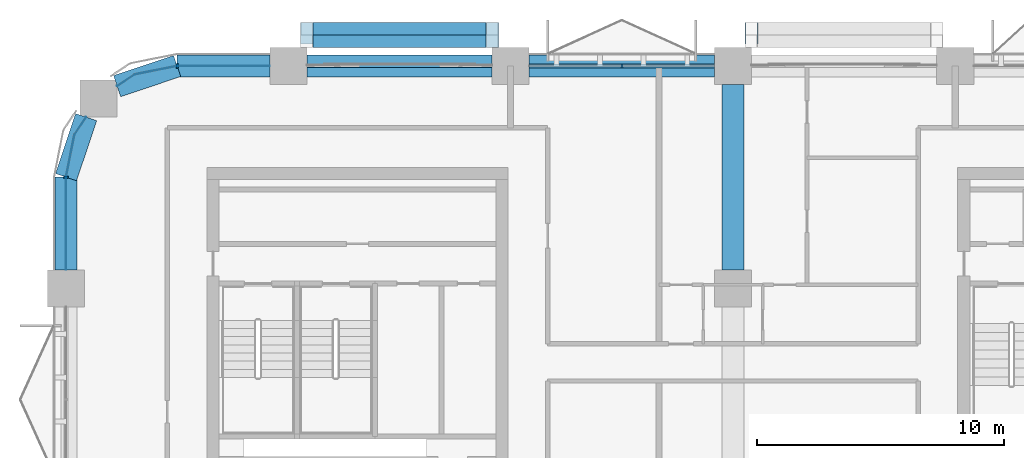
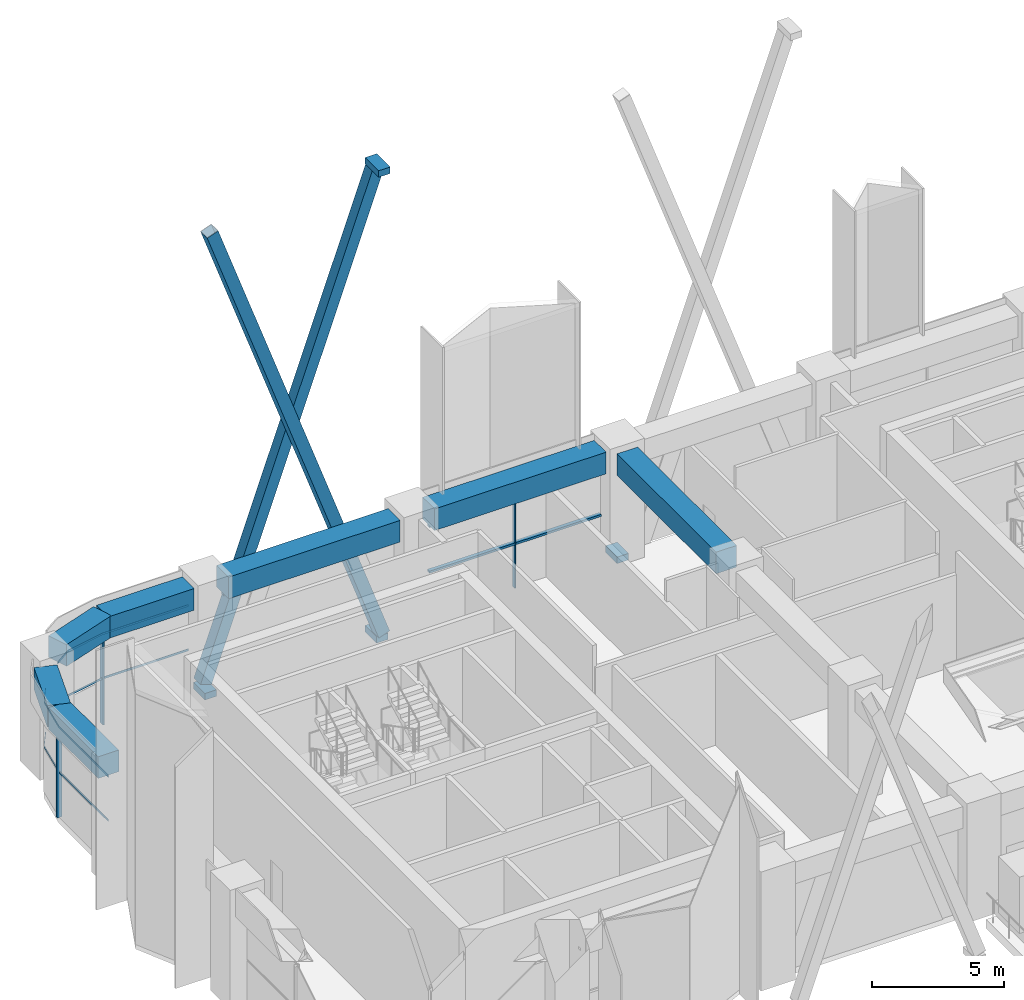
# One storey, part 7 of 22: 16 members, 7 beams, 4 elements without a shape of their own.
"""IFC4 building model written with IfcOpenShell, lengths in metres."""

from ifc_helpers import new_model, si_unit, direction, frame, origin, origin_2d, place, context, subcontext, project, spatial, polyline, rectangle, hollow_rectangle, outline, extrude, material, layer, layer_set, material_profile, profile_set, type_object, element, aggregate, save


model = new_model("IFC4")

# Units and contexts
model_context = context("Model", 3, precision=1e-05, world=origin(), true_north=direction((0.0, 1.0)))
body_context = subcontext(model_context, "Body", "Model", "MODEL_VIEW")
ifc_project = project(units=[si_unit("LENGTHUNIT", "METRE"), si_unit("AREAUNIT", "SQUARE_METRE"), si_unit("VOLUMEUNIT", "CUBIC_METRE"), si_unit("PLANEANGLEUNIT", "RADIAN"), si_unit("MASSUNIT", "GRAM", prefix="KILO")], contexts=[model_context])

# Site, building, storey
site_placement = place(None, origin())
site = spatial("IfcSite", under=ifc_project, at=site_placement, CompositionType="ELEMENT")
building_placement = place(site_placement, origin())
building = spatial("IfcBuilding", under=site, at=building_placement, Name="Tessera Arch", CompositionType="ELEMENT")
storey_placement = place(building_placement, frame((0.0, 0.0, 129.39990234375)))
storey = spatial("IfcBuildingStorey", under=building, at=storey_placement, Name="L30", CompositionType="ELEMENT", Elevation=129.39990234375)

# Members
ifc_material_1 = material(Name="Steel A500 Gr C", Category="steel")
ifc_material_profile_1 = material_profile(ifc_material_1, hollow_rectangle(XDim=0.508056640625, YDim=0.508056640625, WallThickness=0.0146484375, at=origin_2d()), Name="HSS20x20x5/8")
ifc_profile_set_1 = profile_set([ifc_material_profile_1], Name="Steel A500 Gr C")
member_type_1 = type_object("IfcMemberType", Name="Brace HSS20x20x5/8 Steel A500 Gr C", PredefinedType="BRACE", material=ifc_profile_set_1)
for number, where, z_axis, x_axis, name in (
    (1, (17.25, 55.00390625, -0.7998046875), (-0.334923631924, 0.0, 0.942245276337), (0.0, -1.0, 0.0), "Brace N54.0-4 A L30-L34"),
    (2, (9.75, 55.511962890625, -0.7998046875), (0.334923631924, 0.0, 0.942245276337), (0.0, 1.0, 0.0), "Brace N54.0-4 B L30-L34"),
):
    element("IfcMember", number, at=place(storey_placement, frame(where, z_axis=z_axis, x_axis=x_axis)), inside=storey, type_object=member_type_1, Name=name, PredefinedType="BRACE", context=body_context, shape_type="SweptSolid", body=[
        extrude(hollow_rectangle(XDim=0.508056640625, YDim=0.508056640625, WallThickness=0.0146484375, at=origin_2d()), origin(), (0.0, 0.0, 1.0), 22.39306640625),
    ])

# Curtain wall, members
ifc_material_2 = material(Name="CW1 curtain wall")
curtain_wall_type_1 = type_object("IfcCurtainWallType", Name="CW1 curtain wall", PredefinedType="NOTDEFINED", material=ifc_material_2)
curtain_wall_1_placement = place(storey_placement, origin())
curtain_wall_1 = element("IfcCurtainWall", 3, at=curtain_wall_1_placement, inside=storey, type_object=curtain_wall_type_1, Name="CW1 curtain wall N54.0/3 L30", PredefinedType="NOTDEFINED")
ifc_material_3 = material(Name="Anodised aluminium pale metal", Category="aluminium")
ifc_material_profile_2 = material_profile(ifc_material_3, rectangle(XDim=0.159912109375, YDim=0.06005859375, at=origin_2d()), Name="AL 60x160")
ifc_profile_set_2 = profile_set([ifc_material_profile_2], Name="Anodised aluminium pale metal")
member_type_2 = type_object("IfcMemberType", Name="CW1 mullion", PredefinedType="MULLION", material=ifc_profile_set_2)
member_1_placement = place(storey_placement, frame((22.5, 54.0, 0.0), z_axis=(0.0, 0.0, 1.0), x_axis=(0.0, -1.0, 0.0)))
member_1 = element("IfcMember", 4, at=member_1_placement, type_object=member_type_2, Name="CW1 mullion N54.0/3 1", PredefinedType="MULLION", context=body_context, shape_type="SweptSolid", body=[
    extrude(rectangle(XDim=0.159912109375, YDim=0.06005859375, at=origin_2d()), origin(), (0.0, 0.0, 1.0), 4.10009765625),
])
ifc_material_4 = material(Name="Anodised aluminium pale metal", Category="aluminium")
ifc_material_profile_3 = material_profile(ifc_material_4, rectangle(XDim=0.159912109375, YDim=0.10009765625, at=origin_2d()), Name="AL 160x100")
ifc_profile_set_3 = profile_set([ifc_material_profile_3], Name="Anodised aluminium pale metal")
member_type_3 = type_object("IfcMemberType", Name="CW1 transom", PredefinedType="USERDEFINED", material=ifc_profile_set_3)
member_2_placement = place(storey_placement, frame((26.25, 54.0, 4.150146484375), z_axis=(-1.0, 0.0, 0.0), x_axis=(0.0, -1.0, 0.0)))
member_2 = element("IfcMember", 5, at=member_2_placement, type_object=member_type_3, Name="CW1 transom N54.0/3 1.1", ObjectType="TRANSOM", PredefinedType="USERDEFINED", context=body_context, shape_type="SweptSolid", body=[
    extrude(rectangle(XDim=0.159912109375, YDim=0.10009765625, at=origin_2d()), origin(), (0.0, 0.0, 1.0), 7.5),
])
member_3_placement = place(storey_placement, frame((26.25, 54.0, 2.050048828125), z_axis=(-1.0, 0.0, 0.0), x_axis=(0.0, -1.0, 0.0)))
member_3 = element("IfcMember", 6, at=member_3_placement, type_object=member_type_3, Name="CW1 transom N54.0/3 2.1", ObjectType="TRANSOM", PredefinedType="USERDEFINED", context=body_context, shape_type="SweptSolid", body=[
    extrude(rectangle(XDim=0.159912109375, YDim=0.10009765625, at=origin_2d()), origin(), (0.0, 0.0, 1.0), 7.5),
])
aggregate(curtain_wall_1, [member_1, member_2, member_3])

# Curtain wall, member
ifc_material_5 = material(Name="CW2 curtain wall")
curtain_wall_type_2 = type_object("IfcCurtainWallType", Name="CW2 curtain wall", PredefinedType="NOTDEFINED", material=ifc_material_5)
curtain_wall_2_placement = place(storey_placement, origin())
curtain_wall_2 = element("IfcCurtainWall", 7, at=curtain_wall_2_placement, inside=storey, type_object=curtain_wall_type_2, Name="CW2 curtain wall N54.0/5 L30", PredefinedType="NOTDEFINED")
ifc_material_6 = material(Name="Anodised aluminium pale metal", Category="aluminium")
ifc_material_profile_4 = material_profile(ifc_material_6, rectangle(XDim=0.199951171875, YDim=0.080078125, at=origin_2d()), Name="AL 80x200")
ifc_profile_set_4 = profile_set([ifc_material_profile_4], Name="Anodised aluminium pale metal")
member_type_4 = type_object("IfcMemberType", Name="CW2 mullion", PredefinedType="MULLION", material=ifc_profile_set_4)
member_4_placement = place(storey_placement, frame((4.5, 54.0, 0.0), z_axis=(0.0, 0.0, 1.0), x_axis=(0.0, -1.0, 0.0)))
member_4 = element("IfcMember", 8, at=member_4_placement, type_object=member_type_4, Name="CW2 mullion N54.0/5 1", PredefinedType="MULLION", context=body_context, shape_type="SweptSolid", body=[
    extrude(rectangle(XDim=0.199951171875, YDim=0.080078125, at=origin_2d()), origin(), (0.0, 0.0, 1.0), 4.10009765625),
])

curtain_wall_3_placement = place(storey_placement, origin())
curtain_wall_3 = element("IfcCurtainWall", 9, at=curtain_wall_3_placement, inside=storey, type_object=curtain_wall_type_2, Name="CW2 curtain wall W0.27/0 L30", PredefinedType="NOTDEFINED")
member_5_placement = place(storey_placement, frame((0.0, 49.5, 0.0), z_axis=(0.0, 0.0, 1.0), x_axis=(1.0, 0.0, 0.0)))
member_5 = element("IfcMember", 10, at=member_5_placement, type_object=member_type_4, Name="CW2 mullion W0.27/0 1", PredefinedType="MULLION", context=body_context, shape_type="SweptSolid", body=[
    extrude(rectangle(XDim=0.199951171875, YDim=0.080078125, at=origin_2d()), origin(), (0.0, 0.0, 1.0), 4.10009765625),
])

# Member
ifc_material_7 = material(Name="Anodised aluminium pale metal", Category="aluminium")
ifc_material_profile_5 = material_profile(ifc_material_7, rectangle(XDim=0.199951171875, YDim=0.10009765625, at=origin_2d()), Name="AL 200x100")
ifc_profile_set_5 = profile_set([ifc_material_profile_5], Name="Anodised aluminium pale metal")
member_type_5 = type_object("IfcMemberType", Name="CW2 transom", PredefinedType="USERDEFINED", material=ifc_profile_set_5)
member_6_placement = place(storey_placement, frame((0.0, 0.0, 2.050048828125)))
member_6 = element("IfcMember", 11, at=member_6_placement, type_object=member_type_5, Name="CW2 transom N54.0/5 1", ObjectType="TRANSOM", PredefinedType="USERDEFINED", context=body_context, shape_type="SweptSolid", body=[
    extrude(outline(polyline([(4.5009765625, 53.989990234375), (8.25, 53.989990234375), (8.25, 54.010009765625), (4.4990234375, 54.010009765625), (2.77392578125, 53.6669921875), (2.0625, 53.19140625), (2.073486328125, 53.1748046875), (2.78173828125, 53.648193359375), (4.5009765625, 53.989990234375)])), origin(), (0.0, 0.0, 1.0), 0.10009765625),
])

member_7_placement = place(storey_placement, frame((0.0, 0.0, 4.10009765625)))
member_7 = element("IfcMember", 12, at=member_7_placement, type_object=member_type_5, Name="CW2 transom N54.0/5 2", ObjectType="TRANSOM", PredefinedType="USERDEFINED", context=body_context, shape_type="SweptSolid", body=[
    extrude(outline(polyline([(4.5009765625, 53.989990234375), (8.25, 53.989990234375), (8.25, 54.010009765625), (4.4990234375, 54.010009765625), (2.77392578125, 53.6669921875), (2.0625, 53.19140625), (2.073486328125, 53.1748046875), (2.78173828125, 53.648193359375), (4.5009765625, 53.989990234375)])), origin(), (0.0, 0.0, 1.0), 0.10009765625),
])

aggregate(curtain_wall_2, [member_4, member_6, member_7])

member_8_placement = place(storey_placement, frame((0.0, 0.0, 2.050048828125)))
member_8 = element("IfcMember", 13, at=member_8_placement, type_object=member_type_5, Name="CW2 transom W0.27/0 1", ObjectType="TRANSOM", PredefinedType="USERDEFINED", context=body_context, shape_type="SweptSolid", body=[
    extrude(outline(polyline([(0.351806640625, 51.21826171875), (0.8251953125, 51.926513671875), (0.80859375, 51.9375), (0.3330078125, 51.22607421875), (-0.010009765625, 49.5009765625), (-0.010009765625, 45.75), (0.010009765625, 45.75), (0.010009765625, 49.4990234375), (0.351806640625, 51.21826171875)])), origin(), (0.0, 0.0, 1.0), 0.10009765625),
])

member_9_placement = place(storey_placement, frame((0.0, 0.0, 4.10009765625)))
member_9 = element("IfcMember", 14, at=member_9_placement, type_object=member_type_5, Name="CW2 transom W0.27/0 2", ObjectType="TRANSOM", PredefinedType="USERDEFINED", context=body_context, shape_type="SweptSolid", body=[
    extrude(outline(polyline([(0.351806640625, 51.21826171875), (0.8251953125, 51.926513671875), (0.80859375, 51.9375), (0.3330078125, 51.22607421875), (-0.010009765625, 49.5009765625), (-0.010009765625, 45.75), (0.010009765625, 45.75), (0.010009765625, 49.4990234375), (0.351806640625, 51.21826171875)])), origin(), (0.0, 0.0, 1.0), 0.10009765625),
])

aggregate(curtain_wall_3, [member_5, member_8, member_9])

# Curtain wall, member
ifc_material_8 = material(Name="CW3 curtain wall")
curtain_wall_type_3 = type_object("IfcCurtainWallType", Name="CW3 curtain wall", PredefinedType="NOTDEFINED", material=ifc_material_8)
curtain_wall_4_placement = place(storey_placement, origin())
curtain_wall_4 = element("IfcCurtainWall", 15, at=curtain_wall_4_placement, inside=storey, type_object=curtain_wall_type_3, Name="CW3 curtain wall N54.0/4 L30", PredefinedType="NOTDEFINED")
ifc_material_9 = material(Name="Anodised aluminium pale metal", Category="aluminium")
ifc_material_profile_6 = material_profile(ifc_material_9, rectangle(XDim=0.139892578125, YDim=0.10009765625, at=origin_2d()), Name="AL 140x100")
ifc_profile_set_6 = profile_set([ifc_material_profile_6], Name="Anodised aluminium pale metal")
member_type_6 = type_object("IfcMemberType", Name="CW3 transom", PredefinedType="USERDEFINED", material=ifc_profile_set_6)
member_10_placement = place(storey_placement, frame((17.25, 54.0, 4.150146484375), z_axis=(-1.0, 0.0, 0.0), x_axis=(0.0, -1.0, 0.0)))
member_10 = element("IfcMember", 16, at=member_10_placement, type_object=member_type_6, Name="CW3 transom N54.0/4 1.1", ObjectType="TRANSOM", PredefinedType="USERDEFINED", context=body_context, shape_type="SweptSolid", body=[
    extrude(rectangle(XDim=0.139892578125, YDim=0.10009765625, at=origin_2d()), origin(), (0.0, 0.0, 1.0), 7.5),
])
aggregate(curtain_wall_4, [member_10])

# Members
ifc_material_10 = material(Name="Steel A572 Gr50", Category="steel")
ifc_layer = layer(ifc_material_10, 0.050048828125)
ifc_layer_set = layer_set([ifc_layer], Name="Node block Steel A572 Gr50")
member_type_7 = type_object("IfcMemberType", Name="Node block Steel A572 Gr50", PredefinedType="PLATE", material=ifc_layer_set)
for number, where, z_axis, x_axis, name in (
    (17, (27.75, 55.3330078125, -1.20849609375), (0.0, 0.0, 1.0), (-1.0, 0.0, 0.0), "Node block seat N54.0-2 1 L30"),
    (18, (9.75, 55.3330078125, -1.20849609375), (0.0, 0.0, 1.0), (-1.0, 0.0, 0.0), "Node block seat N54.0-4 1 L30"),
    (19, (17.25, 55.3330078125, -1.20849609375), (0.0, 0.0, 1.0), (-1.0, 0.0, 0.0), "Node block seat N54.0-4 2 L30"),
):
    element("IfcMember", number, at=place(storey_placement, frame(where, z_axis=z_axis, x_axis=x_axis)), inside=storey, type_object=member_type_7, Name=name, PredefinedType="PLATE", context=body_context, shape_type="SweptSolid", body=[
        extrude(rectangle(XDim=0.508056640625, YDim=0.865966796875, at=origin_2d()), origin(), (0.0, 0.0, 1.0), 0.300048828125),
    ])
member_11_placement = place(storey_placement, frame((17.25, 55.258056640625, 20.40869140625), z_axis=(0.0, 0.0, 1.0), x_axis=(-1.0, 0.0, 0.0)))
element("IfcMember", 20, at=member_11_placement, inside=storey, type_object=member_type_7, Name="Node block head N54.0-4 B L30", PredefinedType="PLATE", context=body_context, shape_type="SweptSolid", body=[
    extrude(rectangle(XDim=0.508056640625, YDim=1.01611328125, at=origin_2d()), origin(), (0.0, 0.0, 1.0), 0.300048828125),
])

# Beams
ifc_material_11 = material(Name="Concrete C70/85", Category="concrete")
ifc_material_profile_7 = material_profile(ifc_material_11, rectangle(XDim=0.89990234375, YDim=1.0, at=origin_2d()), Name="RC spandrel beam 900 x 1000 Concrete C70/85")
ifc_profile_set_7 = profile_set([ifc_material_profile_7], Name="Concrete C70/85")
beam_type = type_object("IfcBeamType", Name="RC spandrel beam 900 x 1000 Concrete C70/85", PredefinedType="BEAM", material=ifc_profile_set_7)
for number, where, z_axis, x_axis, name in (
    (21, (26.25, 54.0, 4.7001953125), (-1.0, 0.0, 0.0), (0.0, -1.0, 0.0), "Spandrel beam L30 N54.0/3"),
    (22, (17.25, 54.0, 4.7001953125), (-1.0, 0.0, 0.0), (0.0, -1.0, 0.0), "Spandrel beam L30 N54.0/4"),
):
    element("IfcBeam", number, at=place(storey_placement, frame(where, z_axis=z_axis, x_axis=x_axis)), inside=storey, type_object=beam_type, Name=name, PredefinedType="BEAM", context=body_context, shape_type="SweptSolid", body=[
        extrude(rectangle(XDim=0.89990234375, YDim=1.0, at=origin_2d()), origin(), (0.0, 0.0, 1.0), 7.5),
    ])
beam_1_placement = place(storey_placement, frame((8.25, 54.0, 4.7001953125), z_axis=(-1.0, 0.0, 0.0), x_axis=(0.0, -1.0, 0.0)))
element("IfcBeam", 23, at=beam_1_placement, inside=storey, type_object=beam_type, Name="Spandrel beam L30 N54.0/5.1", PredefinedType="BEAM", context=body_context, shape_type="SweptSolid", body=[
    extrude(rectangle(XDim=0.89990234375, YDim=1.0, at=origin_2d()), origin(), (0.0, 0.0, 1.0), 3.75),
])
for number, where, z_axis, x_axis, name in (
    (24, (4.5, 54.0, 4.7001953125), (-0.947947973234, -0.31842525032, 0.0), (0.31842525032, -0.947947973234, 0.0), "Spandrel beam L30 N54.0/5.2"),
    (25, (0.81689453125, 51.931884765625, 4.7001953125), (-0.31842525032, -0.947947973234, 0.0), (0.947947973234, -0.31842525032, 0.0), "Spandrel beam L30 W0.27/0.1"),
):
    element("IfcBeam", number, at=place(storey_placement, frame(where, z_axis=z_axis, x_axis=x_axis)), inside=storey, type_object=beam_type, Name=name, PredefinedType="BEAM", context=body_context, shape_type="SweptSolid", body=[
        extrude(rectangle(XDim=0.89990234375, YDim=1.0, at=origin_2d()), origin(), (0.0, 0.0, 1.0), 2.5654296875),
    ])
beam_2_placement = place(storey_placement, frame((0.0, 49.5, 4.7001953125), z_axis=(0.0, -1.0, 0.0), x_axis=(1.0, 0.0, 0.0)))
element("IfcBeam", 26, at=beam_2_placement, inside=storey, type_object=beam_type, Name="Spandrel beam L30 W0.27/0.2", PredefinedType="BEAM", context=body_context, shape_type="SweptSolid", body=[
    extrude(rectangle(XDim=0.89990234375, YDim=1.0, at=origin_2d()), origin(), (0.0, 0.0, 1.0), 3.75),
])
beam_3_placement = place(storey_placement, frame((27.0, 45.75, 4.7001953125), z_axis=(0.0, 1.0, 0.0), x_axis=(-1.0, 0.0, 0.0)))
element("IfcBeam", 27, at=beam_3_placement, inside=storey, type_object=beam_type, Name="Interface beam L30 I0C4F-C4G", PredefinedType="BEAM", context=body_context, shape_type="SweptSolid", body=[
    extrude(rectangle(XDim=0.89990234375, YDim=1.0, at=origin_2d()), origin(), (0.0, 0.0, 1.0), 7.5),
])

save(model, "model.ifc")
